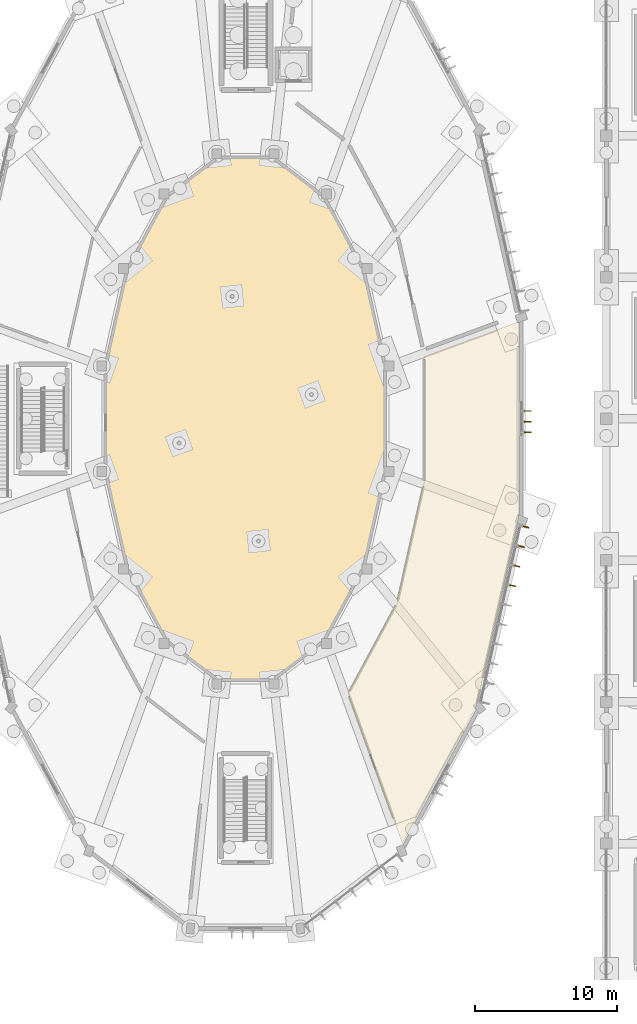
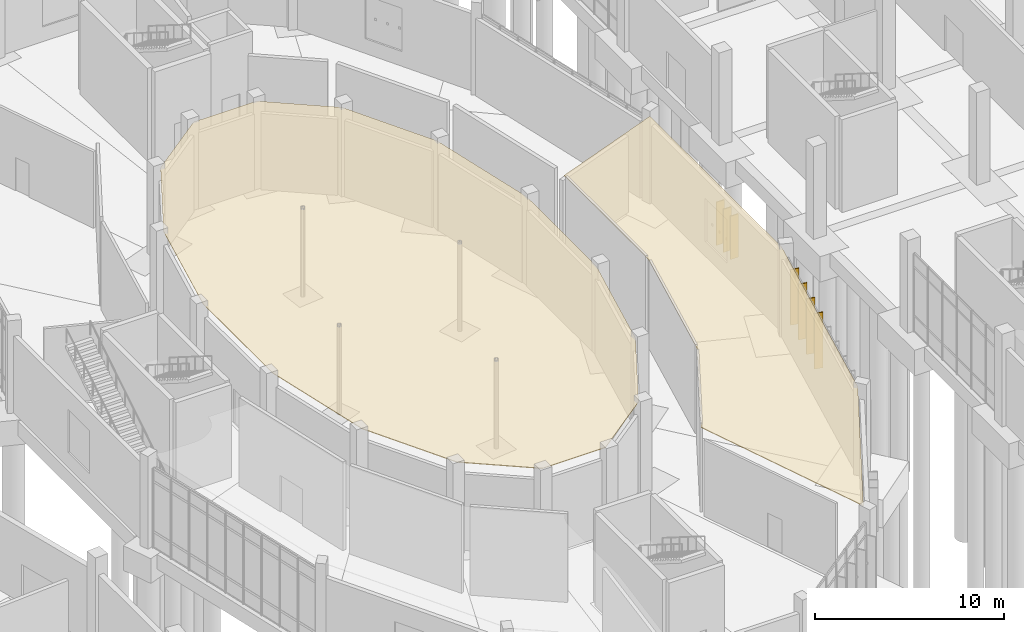
# One storey, part 128 of 140: 7 shading devices, 2 coverings.
"""IFC4 building model written with IfcOpenShell, lengths in metres."""

import ifcopenshell
import ifcopenshell.guid

model = None  # the IFC model being written
_history = None  # IfcOwnerHistory: only IFC2X3 demands one
_inside = {}  # id of a spatial element -> (the spatial element, [elements in it])
_under = {}  # id of a project, library or spatial element -> (it, [spatial elements below it])
_declared = {}  # id of a project -> (the project, [libraries it declares])
_typed = {}  # id of a type object -> (the type object, [elements of that type])
_made_of = {}  # id of a material, layer set ... -> (it, [elements and type objects made of it])


def new_model(schema):
    """Start an empty IFC model of exactly this schema.

    Asked for "IFC4X3", IfcOpenShell would pick the latest addendum, in which some entities
    have other attributes; the version numbers below select the first issue.
    IFC2X3 requires an IfcOwnerHistory on every rooted entity: one is made here for all.
    """
    global model, _history
    if schema == "IFC4X3":
        model = ifcopenshell.file(schema_version=(4, 3, 0, 0))
    else:
        model = ifcopenshell.file(schema=schema)
    _inside.clear()
    _under.clear()
    _declared.clear()
    _typed.clear()
    _made_of.clear()
    _history = None
    if model.schema == "IFC2X3":
        org = make("IfcOrganization", Name="unknown")
        user = make(
            "IfcPersonAndOrganization",
            ThePerson=make("IfcPerson", FamilyName="unknown"),
            TheOrganization=org,
        )
        app = make(
            "IfcApplication",
            ApplicationDeveloper=org,
            Version="unknown",
            ApplicationFullName="unknown",
            ApplicationIdentifier="unknown",
        )
        _history = make(
            "IfcOwnerHistory",
            OwningUser=user,
            OwningApplication=app,
            ChangeAction="ADDED",
            CreationDate=0,
        )
    return model


def make(cls, **values):
    """One entity of the class cls with the attributes given. An attribute that is None is left unset."""
    return model.create_entity(
        cls, **{name: value for name, value in values.items() if value is not None}
    )


def rooted(cls, **values):
    """An entity with a GlobalId (a new one), such as an element, a storey or a relation."""
    return make(cls, GlobalId=ifcopenshell.guid.new(), OwnerHistory=_history, **values)


def si_unit(unit_type, name, prefix=None):
    """IfcSIUnit, for example si_unit("LENGTHUNIT", "METRE", prefix="MILLI")."""
    return make("IfcSIUnit", UnitType=unit_type, Prefix=prefix, Name=name)


def assignment(units):
    """IfcUnitAssignment: the units of a project."""
    return None if units is None else make("IfcUnitAssignment", Units=units)


def point(xyz):
    """IfcCartesianPoint."""
    return None if xyz is None else make("IfcCartesianPoint", Coordinates=xyz)


def direction(xyz):
    """IfcDirection."""
    return None if xyz is None else make("IfcDirection", DirectionRatios=xyz)


def frame(location, z_axis=None, x_axis=None):
    """IfcAxis2Placement3D, a coordinate frame: its origin and axes. An axis left out is left unset."""
    return make(
        "IfcAxis2Placement3D",
        Location=point(location),
        Axis=direction(z_axis),
        RefDirection=direction(x_axis),
    )


def frame_2d(location, x_axis=None):
    """IfcAxis2Placement2D, a coordinate frame in the plane: its origin and x axis."""
    return make(
        "IfcAxis2Placement2D", Location=point(location), RefDirection=direction(x_axis)
    )


def origin():
    """The frame at (0, 0, 0) with its axes left unset."""
    return frame((0.0, 0.0, 0.0))


def origin_2d():
    """The frame at (0, 0) in the plane with its x axis left unset."""
    return frame_2d((0.0, 0.0))


def place(relative_to, where):
    """IfcLocalPlacement: puts the frame where relative to a parent placement (None: the world)."""
    return make(
        "IfcLocalPlacement", PlacementRelTo=relative_to, RelativePlacement=where
    )


def context(
    kind, dimensions, precision=None, world=None, true_north=None, identifier=None
):
    """IfcGeometricRepresentationContext, for example the 3D "Model" context."""
    return make(
        "IfcGeometricRepresentationContext",
        ContextIdentifier=identifier,
        ContextType=kind,
        CoordinateSpaceDimension=dimensions,
        Precision=precision,
        WorldCoordinateSystem=world,
        TrueNorth=true_north,
    )


def subcontext(parent, identifier, kind, view, scale=None):
    """IfcGeometricRepresentationSubContext, for example "Body" below "Model"."""
    return make(
        "IfcGeometricRepresentationSubContext",
        ContextIdentifier=identifier,
        ContextType=kind,
        ParentContext=parent,
        TargetScale=scale,
        TargetView=view,
    )


def project(units=None, contexts=None):
    """IfcProject with its units and contexts."""
    return rooted(
        "IfcProject",
        Name="project",
        RepresentationContexts=contexts,
        UnitsInContext=assignment(units),
    )


def spatial(cls, under=None, at=None, **own):
    """A site, building, storey or space (cls), placed at a placement, below another one or the project."""
    s = rooted(cls, ObjectPlacement=at, **own)
    if under is not None:
        _under.setdefault(under.id(), (under, []))[1].append(s)
    return s


def polyline(points):
    """IfcPolyline through the points."""
    return make("IfcPolyline", Points=[point(p) for p in points])


def profile(cls, at=None, kind="AREA", **sizes):
    """A parametric profile (cls). Its sizes go by their IFC names, for example OverallWidth=200.0."""
    return make(cls, ProfileType=kind, Position=at, **sizes)


def rectangle(**sizes):
    """IfcRectangleProfileDef."""
    return profile("IfcRectangleProfileDef", **sizes)


def outline(outer, holes=None, kind="AREA"):
    """IfcArbitraryClosedProfileDef: a profile drawn as a closed curve; with holes, ...WithVoids."""
    if holes is None:
        return make("IfcArbitraryClosedProfileDef", ProfileType=kind, OuterCurve=outer)
    return make(
        "IfcArbitraryProfileDefWithVoids",
        ProfileType=kind,
        OuterCurve=outer,
        InnerCurves=holes,
    )


def extrude(swept, where, along, depth):
    """IfcExtrudedAreaSolid: the profile swept, set in the frame where, extruded along a direction by depth."""
    return make(
        "IfcExtrudedAreaSolid",
        SweptArea=swept,
        Position=where,
        ExtrudedDirection=direction(along),
        Depth=depth,
    )


def shape(context_of_items, identifier, shape_type, items):
    """IfcShapeRepresentation: the items that make up one representation, for example the "Body"."""
    return make(
        "IfcShapeRepresentation",
        ContextOfItems=context_of_items,
        RepresentationIdentifier=identifier,
        RepresentationType=shape_type,
        Items=items,
    )


def material(Name=None, Category=None):
    """IfcMaterial."""
    return make("IfcMaterial", Name=Name, Category=Category)


def layer(
    of_material, thickness, ventilated=None, Name=None, Category=None, Priority=None
):
    """IfcMaterialLayer: one layer of a wall or slab, of a material (None: an air gap)."""
    return make(
        "IfcMaterialLayer",
        Material=of_material,
        LayerThickness=thickness,
        IsVentilated=ventilated,
        Name=Name,
        Category=Category,
        Priority=Priority,
    )


def layer_set(layers, Name=None):
    """IfcMaterialLayerSet."""
    return make("IfcMaterialLayerSet", MaterialLayers=layers, LayerSetName=Name)


def made_of(thing, what):
    """Note that an element or type object is made of a material, layer set ...; save() writes the relation."""
    if what is not None:
        _made_of.setdefault(what.id(), (what, []))[1].append(thing)
    return thing


def type_object(cls, material=None, **own):
    """A type object (cls), such as IfcWallType, which elements share."""
    return made_of(rooted(cls, **own), material)


def element(
    cls,
    number,
    at=None,
    inside=None,
    cuts=None,
    type_object=None,
    material=None,
    context=None,
    identifier="Body",
    shape_type=None,
    held_by="IfcProductDefinitionShape",
    body=None,
    shapes=None,
    **own,
):
    """One element of the class cls, such as IfcWall. Its Tag is "e" and its number.

    at: its placement. inside: the storey or other place that contains it. cuts: it is an
    opening in that element (IfcRelVoidsElement). A single representation is given by context,
    identifier, shape_type and body (its items); several are given by shapes. held_by: the class
    of the entity that holds the representations. save() writes the other relations.
    """
    e = rooted(cls, Tag="e%d" % number, ObjectPlacement=at, **own)
    if body is not None:
        shapes = [shape(context, identifier, shape_type, body)]
    if shapes is not None:
        e.Representation = make(held_by, Representations=shapes)
    if inside is not None:
        _inside.setdefault(inside.id(), (inside, []))[1].append(e)
    if cuts is not None:
        rooted(
            "IfcRelVoidsElement", RelatingBuildingElement=cuts, RelatedOpeningElement=e
        )
    if type_object is not None:
        _typed.setdefault(type_object.id(), (type_object, []))[1].append(e)
    return made_of(e, material)


def aggregate(whole, parts):
    """IfcRelAggregates: a whole, such as a stair, and the parts it consists of."""
    return rooted("IfcRelAggregates", RelatingObject=whole, RelatedObjects=parts)


def save(model, path):
    """Write the relations noted so far, then the file.

    IfcRelAggregates (storeys below a building ...), IfcRelContainedInSpatialStructure (elements
    in a storey), IfcRelDefinesByType, IfcRelAssociatesMaterial and IfcRelDeclares: one each for
    every whole, place, type object, material and project.
    """
    for whole, parts in _under.values():
        aggregate(whole, parts)
    for where, things in _inside.values():
        rooted(
            "IfcRelContainedInSpatialStructure",
            RelatedElements=things,
            RelatingStructure=where,
        )
    for kind, things in _typed.values():
        rooted("IfcRelDefinesByType", RelatedObjects=things, RelatingType=kind)
    for what, things in _made_of.values():
        rooted("IfcRelAssociatesMaterial", RelatedObjects=things, RelatingMaterial=what)
    for by, libraries in _declared.values():
        rooted("IfcRelDeclares", RelatingContext=by, RelatedDefinitions=libraries)
    model.write(path)


model = new_model("IFC4")

# Units and contexts
model_context = context("Model", 3, precision=1e-05, world=origin(), true_north=direction((0.0, 1.0)))
body_context = subcontext(model_context, "Body", "Model", "MODEL_VIEW")
ifc_project = project(units=[si_unit("LENGTHUNIT", "METRE"), si_unit("AREAUNIT", "SQUARE_METRE"), si_unit("VOLUMEUNIT", "CUBIC_METRE"), si_unit("PLANEANGLEUNIT", "RADIAN"), si_unit("MASSUNIT", "GRAM", prefix="KILO")], contexts=[model_context])

# Site, building, storey
site_placement = place(None, origin())
site = spatial("IfcSite", under=ifc_project, at=site_placement, CompositionType="ELEMENT")
building_placement = place(site_placement, origin())
building = spatial("IfcBuilding", under=site, at=building_placement, Name="Corvandel Quay Wholesale Market", CompositionType="ELEMENT")
storey_placement = place(building_placement, origin())
storey = spatial("IfcBuildingStorey", under=building, at=storey_placement, Name="L00", CompositionType="ELEMENT", Elevation=0.0)

# Coverings
ifc_material_1 = material(Name="Perforated powder-coated aluminium acoustic panel", Category="aluminium")
ifc_layer = layer(ifc_material_1, 0.044921875)
ifc_layer_set = layer_set([ifc_layer], Name="Perforated powder-coated aluminium acoustic panel")
covering_type = type_object("IfcCoveringType", Name="Perforated Acoustic Baffle Ceiling CLG01", PredefinedType="CEILING", material=ifc_layer_set)
covering_1_placement = place(storey_placement, frame((0.0, 0.0, 5.590087890625)))
element("IfcCovering", 1, at=covering_1_placement, inside=storey, type_object=covering_type, Name="Suspended Ceiling CLG-013", PredefinedType="CEILING", context=body_context, shape_type="SweptSolid", body=[
    extrude(outline(polyline([(204.39990234375, 56.302978515625), (204.39990234375, 56.301025390625), (202.8701171875, 49.48388671875), (202.868896484375, 49.48193359375), (202.867919921875, 49.47998046875), (202.867919921875, 49.47802734375), (200.06005859375, 44.29296875), (200.05810546875, 44.2919921875), (200.056884765625, 44.2900390625), (200.055908203125, 44.2880859375), (200.053955078125, 44.287109375), (196.44091796875, 41.52392578125), (196.43994140625, 41.52294921875), (196.43798828125, 41.52197265625), (196.43603515625, 41.52099609375), (196.43505859375, 41.52099609375), (196.43310546875, 41.52001953125), (196.430908203125, 41.52001953125), (196.428955078125, 41.52001953125), (192.571044921875, 41.52001953125), (192.569091796875, 41.52001953125), (192.56689453125, 41.52001953125), (192.56494140625, 41.52099609375), (192.56396484375, 41.52099609375), (192.56201171875, 41.52197265625), (192.56005859375, 41.52294921875), (192.55908203125, 41.52392578125), (188.946044921875, 44.287109375), (188.944091796875, 44.2880859375), (188.943115234375, 44.2900390625), (188.94189453125, 44.2919921875), (188.93994140625, 44.29296875), (186.132080078125, 49.47802734375), (186.132080078125, 49.47998046875), (186.131103515625, 49.48193359375), (186.1298828125, 49.48388671875), (184.60009765625, 56.301025390625), (184.60009765625, 56.302978515625), (184.60009765625, 56.304931640625), (184.60009765625, 63.695068359375), (184.60009765625, 63.697021484375), (184.60009765625, 63.698974609375), (186.1298828125, 70.51611328125), (186.131103515625, 70.51806640625), (186.132080078125, 70.52001953125), (186.132080078125, 70.52197265625), (188.93994140625, 75.70703125), (188.94189453125, 75.7080078125), (188.943115234375, 75.7099609375), (188.944091796875, 75.7119140625), (188.946044921875, 75.712890625), (192.55908203125, 78.47607421875), (192.56005859375, 78.47705078125), (192.56201171875, 78.47802734375), (192.56396484375, 78.47900390625), (192.56494140625, 78.47900390625), (192.56689453125, 78.47998046875), (192.569091796875, 78.47998046875), (192.571044921875, 78.47998046875), (196.428955078125, 78.47998046875), (196.430908203125, 78.47998046875), (196.43310546875, 78.47998046875), (196.43505859375, 78.47900390625), (196.43603515625, 78.47900390625), (196.43798828125, 78.47802734375), (196.43994140625, 78.47705078125), (196.44091796875, 78.47607421875), (200.053955078125, 75.712890625), (200.055908203125, 75.7119140625), (200.056884765625, 75.7099609375), (200.05810546875, 75.7080078125), (200.06005859375, 75.70703125), (202.867919921875, 70.52197265625), (202.867919921875, 70.52001953125), (202.868896484375, 70.51806640625), (202.8701171875, 70.51611328125), (204.39990234375, 63.698974609375), (204.39990234375, 63.697021484375), (204.39990234375, 63.695068359375), (204.39990234375, 56.304931640625), (204.39990234375, 56.302978515625)])), origin(), (0.0, 0.0, 1.0), 0.044921875),
])
covering_2_placement = place(storey_placement, frame((0.0, 0.0, 5.590087890625)))
element("IfcCovering", 2, at=covering_2_placement, inside=storey, type_object=covering_type, Name="Suspended Ceiling CLG-015", PredefinedType="CEILING", context=body_context, shape_type="SweptSolid", body=[
    extrude(outline(polyline([(201.760009765625, 40.590087890625), (201.759033203125, 40.592041015625), (201.759033203125, 40.593994140625), (201.759033203125, 40.595947265625), (201.759033203125, 40.596923828125), (201.759033203125, 40.59912109375), (201.760009765625, 40.60107421875), (201.760986328125, 40.60302734375), (201.760986328125, 40.60498046875), (205.216064453125, 47.0009765625), (207.10498046875, 55.429931640625), (207.10595703125, 64.381103515625), (207.10595703125, 64.383056640625), (207.10595703125, 64.385009765625), (207.10693359375, 64.386962890625), (207.10791015625, 64.388916015625), (207.10888671875, 64.39111328125), (207.110107421875, 64.39208984375), (207.111083984375, 64.39404296875), (207.112060546875, 64.39599609375), (207.114013671875, 64.39697265625), (207.114990234375, 64.39794921875), (207.116943359375, 64.39892578125), (207.118896484375, 64.39990234375), (213.7529296875, 66.8359375), (213.7548828125, 66.8359375), (213.757080078125, 66.8369140625), (213.759033203125, 66.8369140625), (213.760986328125, 66.8369140625), (213.762939453125, 66.8369140625), (213.763916015625, 66.8359375), (213.76611328125, 66.8359375), (213.76806640625, 66.8349609375), (213.77001953125, 66.833984375), (213.77099609375, 66.8330078125), (213.77294921875, 66.83203125), (213.77392578125, 66.8310546875), (213.77587890625, 66.8291015625), (213.777099609375, 66.827880859375), (213.778076171875, 66.825927734375), (213.779052734375, 66.824951171875), (213.779052734375, 66.822998046875), (213.780029296875, 66.821044921875), (213.780029296875, 66.819091796875), (213.780029296875, 66.81689453125), (213.780029296875, 52.865966796875), (213.780029296875, 52.864013671875), (213.780029296875, 52.862060546875), (210.823974609375, 39.68896484375), (210.822998046875, 39.68701171875), (210.822021484375, 39.68505859375), (210.822021484375, 39.68310546875), (205.60791015625, 30.055908203125), (205.60693359375, 30.054931640625), (205.60498046875, 30.052978515625), (205.60400390625, 30.052001953125), (205.60205078125, 30.050048828125), (205.60107421875, 30.049072265625), (205.59912109375, 30.048095703125), (205.596923828125, 30.047119140625), (205.594970703125, 30.047119140625), (205.593017578125, 30.0458984375), (205.592041015625, 30.0458984375), (205.590087890625, 30.0458984375), (205.587890625, 30.0458984375), (205.5859375, 30.047119140625), (205.583984375, 30.047119140625), (205.58203125, 30.048095703125), (205.580078125, 30.049072265625), (205.577880859375, 30.050048828125), (205.576904296875, 30.051025390625), (205.574951171875, 30.052001953125), (205.573974609375, 30.053955078125), (205.572998046875, 30.055908203125), (205.572021484375, 30.056884765625), (205.571044921875, 30.05908203125), (201.760009765625, 40.587890625), (201.760009765625, 40.590087890625)])), origin(), (0.0, 0.0, 1.0), 0.044921875),
])

# Shading devices
ifc_material_2 = material(Name="Bronze anodised extruded aluminium 6063-T6", Category="aluminium")
shading_device_type = type_object("IfcShadingDeviceType", Name="Vertical Anodised Bronze Solar Fin FN01 480mm", PredefinedType="JALOUSIE", material=ifc_material_2)
for number, where, z_axis, x_axis, name in (
    (3, (213.351806640625, 48.21533203125, 0.77490234375), (0.0, 0.0, 1.0), (-0.975726024471, 0.218994806262, 0.0), "Solar Fin 0510"),
    (4, (213.662353515625, 49.5986328125, 0.77490234375), (0.0, 0.0, 1.0), (-0.975726024471, 0.218994806262, 0.0), "Solar Fin 0511"),
    (5, (213.972900390625, 50.982177734375, 0.77490234375), (0.0, 0.0, 1.0), (-0.975726024471, 0.218994806262, 0.0), "Solar Fin 0512"),
    (6, (214.283203125, 52.365478515625, 0.77490234375), (0.0, 0.0, 1.0), (-0.975726024471, 0.218994806262, 0.0), "Solar Fin 0513"),
):
    element("IfcShadingDevice", number, at=place(storey_placement, frame(where, z_axis=z_axis, x_axis=x_axis)), inside=storey, type_object=shading_device_type, Name=name, PredefinedType="JALOUSIE", context=body_context, shape_type="SweptSolid", body=[
        extrude(rectangle(XDim=0.47998046875, YDim=0.06494140625, at=origin_2d()), origin(), (0.0, 0.0, 1.0), 3.60009765625),
    ])
for number, where, z_axis, x_axis, name in (
    (7, (214.43994140625, 59.050048828125, 0.9501953125), (0.0, 0.0, 1.0), (1.0, 0.0, 0.0), "Solar Fin 0518"),
    (8, (214.43994140625, 59.800048828125, 0.9501953125), (0.0, 0.0, 1.0), (1.0, 0.0, 0.0), "Solar Fin 0519"),
    (9, (214.43994140625, 60.550048828125, 0.9501953125), (0.0, 0.0, 1.0), (1.0, 0.0, 0.0), "Solar Fin 0520"),
):
    element("IfcShadingDevice", number, at=place(storey_placement, frame(where, z_axis=z_axis, x_axis=x_axis)), inside=storey, type_object=shading_device_type, Name=name, PredefinedType="JALOUSIE", context=body_context, shape_type="SweptSolid", body=[
        extrude(rectangle(XDim=0.47998046875, YDim=0.06494140625, at=origin_2d()), origin(), (0.0, 0.0, 1.0), 2.800048828125),
    ])

save(model, "model.ifc")
